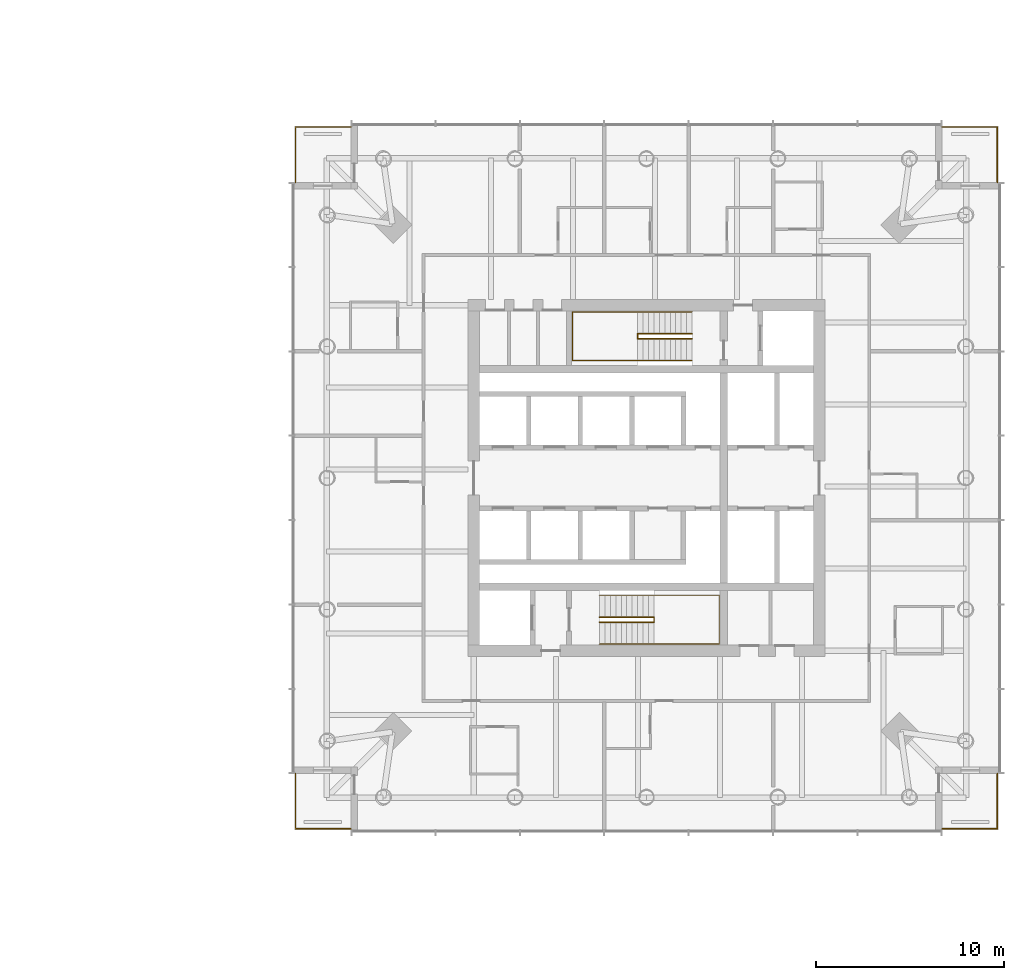
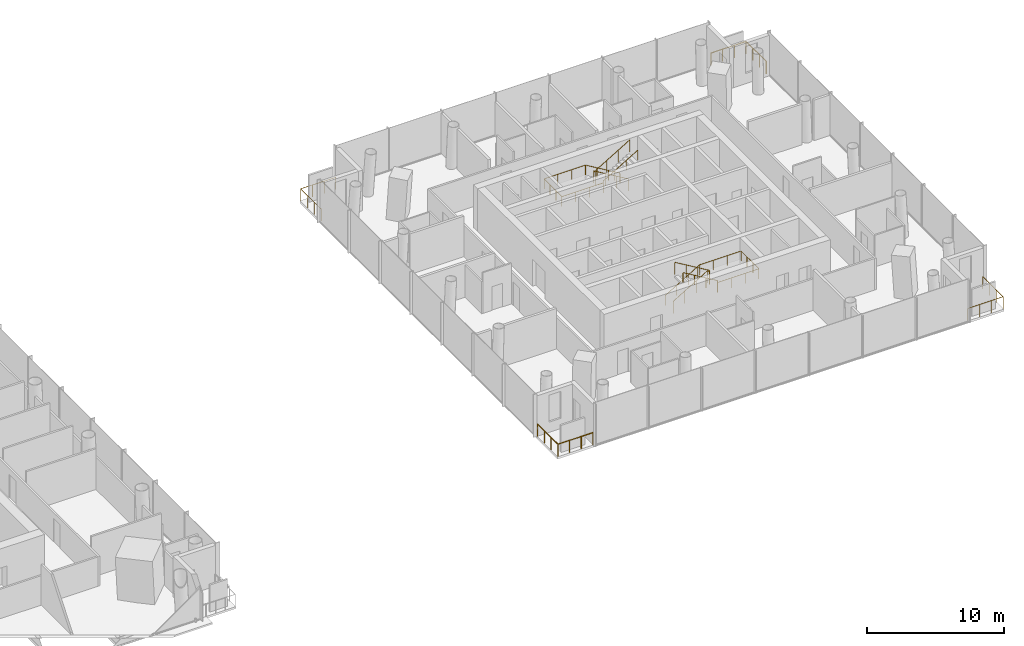
# One storey, part 26 of 26: 8 railings.
"""IFC4 building model written with IfcOpenShell, lengths in metres."""

from ifc_helpers import new_model, si_unit, direction, frame, origin, origin_2d, place, context, subcontext, project, spatial, circle, extrude, material, type_object, element, save


model = new_model("IFC4")

# Units and contexts
model_context = context("Model", 3, precision=1e-05, world=origin(), true_north=direction((0.0, 1.0)))
body_context = subcontext(model_context, "Body", "Model", "MODEL_VIEW")
ifc_project = project(units=[si_unit("LENGTHUNIT", "METRE"), si_unit("AREAUNIT", "SQUARE_METRE"), si_unit("VOLUMEUNIT", "CUBIC_METRE"), si_unit("PLANEANGLEUNIT", "RADIAN"), si_unit("MASSUNIT", "GRAM", prefix="KILO")], contexts=[model_context])

# Site, building, storey
site_placement = place(None, origin())
site = spatial("IfcSite", under=ifc_project, at=site_placement, CompositionType="ELEMENT")
building_placement = place(site_placement, origin())
building = spatial("IfcBuilding", under=site, at=building_placement, Name="Ostroluk Exchange", CompositionType="ELEMENT")
storey_placement = place(building_placement, frame((0.0, 0.0, 66.60009765625)))
storey = spatial("IfcBuildingStorey", under=building, at=storey_placement, Name="L16", CompositionType="ELEMENT", Elevation=66.60009765625)

# Railings
ifc_material_1 = material(Name="Stainless steel", Category="steel")
railing_type_1 = type_object("IfcRailingType", Name="Guard 1100 stainless steel", PredefinedType="GUARDRAIL", material=ifc_material_1)
railing_1_placement = place(storey_placement, frame((132.75, 27.300048828125, 0.0)))
element("IfcRailing", 1, at=railing_1_placement, inside=storey, type_object=railing_type_1, Name="Hotel tower SE balcony guard L16", PredefinedType="GUARDRAIL", context=body_context, shape_type="SweptSolid", body=[
    extrude(circle(Radius=0.02392578125, at=origin_2d()), frame((0.0, 0.0, 1.076171875), z_axis=(1.0, 0.0, 0.0), x_axis=(0.0, 1.0, 0.0)), (0.0, 0.0, 1.0), 2.949951171875),
    extrude(circle(Radius=0.02392578125, at=origin_2d()), frame((2.949951171875, 0.0, 1.076171875), z_axis=(0.0, 1.0, 0.0), x_axis=(-1.0, 0.0, 0.0)), (0.0, 0.0, 1.0), 2.949951171875),
    extrude(circle(Radius=0.02099609375, at=origin_2d()), origin(), (0.0, 0.0, 1.0), 1.052001953125),
    extrude(circle(Radius=0.02099609375, at=origin_2d()), frame((0.9833984375, 0.0, 0.0)), (0.0, 0.0, 1.0), 1.052001953125),
    extrude(circle(Radius=0.02099609375, at=origin_2d()), frame((1.966552734375, 0.0, 0.0)), (0.0, 0.0, 1.0), 1.052001953125),
    extrude(circle(Radius=0.02099609375, at=origin_2d()), frame((2.949951171875, 0.0, 0.0)), (0.0, 0.0, 1.0), 1.052001953125),
    extrude(circle(Radius=0.02099609375, at=origin_2d()), frame((2.949951171875, 0.9833984375, 0.0)), (0.0, 0.0, 1.0), 1.052001953125),
    extrude(circle(Radius=0.02099609375, at=origin_2d()), frame((2.949951171875, 1.966552734375, 0.0)), (0.0, 0.0, 1.0), 1.052001953125),
    extrude(circle(Radius=0.02099609375, at=origin_2d()), frame((2.949951171875, 2.949951171875, 0.0)), (0.0, 0.0, 1.0), 1.052001953125),
])
railing_2_placement = place(storey_placement, frame((132.75, 64.699951171875, 0.0)))
element("IfcRailing", 2, at=railing_2_placement, inside=storey, type_object=railing_type_1, Name="Hotel tower NE balcony guard L16", PredefinedType="GUARDRAIL", context=body_context, shape_type="SweptSolid", body=[
    extrude(circle(Radius=0.02392578125, at=origin_2d()), frame((0.0, 0.0, 1.076171875), z_axis=(1.0, 0.0, 0.0), x_axis=(0.0, 1.0, 0.0)), (0.0, 0.0, 1.0), 2.949951171875),
    extrude(circle(Radius=0.02392578125, at=origin_2d()), frame((2.949951171875, 0.0, 1.076171875), z_axis=(0.0, -1.0, 0.0), x_axis=(1.0, 0.0, 0.0)), (0.0, 0.0, 1.0), 2.949951171875),
    extrude(circle(Radius=0.02099609375, at=origin_2d()), origin(), (0.0, 0.0, 1.0), 1.052001953125),
    extrude(circle(Radius=0.02099609375, at=origin_2d()), frame((0.9833984375, 0.0, 0.0)), (0.0, 0.0, 1.0), 1.052001953125),
    extrude(circle(Radius=0.02099609375, at=origin_2d()), frame((1.966552734375, 0.0, 0.0)), (0.0, 0.0, 1.0), 1.052001953125),
    extrude(circle(Radius=0.02099609375, at=origin_2d()), frame((2.949951171875, 0.0, 0.0)), (0.0, 0.0, 1.0), 1.052001953125),
    extrude(circle(Radius=0.02099609375, at=origin_2d()), frame((2.949951171875, -0.9833984375, 0.0)), (0.0, 0.0, 1.0), 1.052001953125),
    extrude(circle(Radius=0.02099609375, at=origin_2d()), frame((2.949951171875, -1.966552734375, 0.0)), (0.0, 0.0, 1.0), 1.052001953125),
    extrude(circle(Radius=0.02099609375, at=origin_2d()), frame((2.949951171875, -2.949951171875, 0.0)), (0.0, 0.0, 1.0), 1.052001953125),
])
railing_3_placement = place(storey_placement, frame((101.25, 64.699951171875, 0.0)))
element("IfcRailing", 3, at=railing_3_placement, inside=storey, type_object=railing_type_1, Name="Hotel tower NW balcony guard L16", PredefinedType="GUARDRAIL", context=body_context, shape_type="SweptSolid", body=[
    extrude(circle(Radius=0.02392578125, at=origin_2d()), frame((0.0, 0.0, 1.076171875), z_axis=(-1.0, 0.0, 0.0), x_axis=(0.0, -1.0, 0.0)), (0.0, 0.0, 1.0), 2.949951171875),
    extrude(circle(Radius=0.02392578125, at=origin_2d()), frame((-2.949951171875, 0.0, 1.076171875), z_axis=(0.0, -1.0, 0.0), x_axis=(1.0, 0.0, 0.0)), (0.0, 0.0, 1.0), 2.949951171875),
    extrude(circle(Radius=0.02099609375, at=origin_2d()), origin(), (0.0, 0.0, 1.0), 1.052001953125),
    extrude(circle(Radius=0.02099609375, at=origin_2d()), frame((-0.9833984375, 0.0, 0.0)), (0.0, 0.0, 1.0), 1.052001953125),
    extrude(circle(Radius=0.02099609375, at=origin_2d()), frame((-1.966552734375, 0.0, 0.0)), (0.0, 0.0, 1.0), 1.052001953125),
    extrude(circle(Radius=0.02099609375, at=origin_2d()), frame((-2.949951171875, 0.0, 0.0)), (0.0, 0.0, 1.0), 1.052001953125),
    extrude(circle(Radius=0.02099609375, at=origin_2d()), frame((-2.949951171875, -0.9833984375, 0.0)), (0.0, 0.0, 1.0), 1.052001953125),
    extrude(circle(Radius=0.02099609375, at=origin_2d()), frame((-2.949951171875, -1.966552734375, 0.0)), (0.0, 0.0, 1.0), 1.052001953125),
    extrude(circle(Radius=0.02099609375, at=origin_2d()), frame((-2.949951171875, -2.949951171875, 0.0)), (0.0, 0.0, 1.0), 1.052001953125),
])
railing_4_placement = place(storey_placement, frame((101.25, 27.300048828125, 0.0)))
element("IfcRailing", 4, at=railing_4_placement, inside=storey, type_object=railing_type_1, Name="Hotel tower SW balcony guard L16", PredefinedType="GUARDRAIL", context=body_context, shape_type="SweptSolid", body=[
    extrude(circle(Radius=0.02392578125, at=origin_2d()), frame((0.0, 0.0, 1.076171875), z_axis=(-1.0, 0.0, 0.0), x_axis=(0.0, -1.0, 0.0)), (0.0, 0.0, 1.0), 2.949951171875),
    extrude(circle(Radius=0.02392578125, at=origin_2d()), frame((-2.949951171875, 0.0, 1.076171875), z_axis=(0.0, 1.0, 0.0), x_axis=(-1.0, 0.0, 0.0)), (0.0, 0.0, 1.0), 2.949951171875),
    extrude(circle(Radius=0.02099609375, at=origin_2d()), origin(), (0.0, 0.0, 1.0), 1.052001953125),
    extrude(circle(Radius=0.02099609375, at=origin_2d()), frame((-0.9833984375, 0.0, 0.0)), (0.0, 0.0, 1.0), 1.052001953125),
    extrude(circle(Radius=0.02099609375, at=origin_2d()), frame((-1.966552734375, 0.0, 0.0)), (0.0, 0.0, 1.0), 1.052001953125),
    extrude(circle(Radius=0.02099609375, at=origin_2d()), frame((-2.949951171875, 0.0, 0.0)), (0.0, 0.0, 1.0), 1.052001953125),
    extrude(circle(Radius=0.02099609375, at=origin_2d()), frame((-2.949951171875, 0.9833984375, 0.0)), (0.0, 0.0, 1.0), 1.052001953125),
    extrude(circle(Radius=0.02099609375, at=origin_2d()), frame((-2.949951171875, 1.966552734375, 0.0)), (0.0, 0.0, 1.0), 1.052001953125),
    extrude(circle(Radius=0.02099609375, at=origin_2d()), frame((-2.949951171875, 2.949951171875, 0.0)), (0.0, 0.0, 1.0), 1.052001953125),
])
ifc_material_2 = material(Name="Steel S355", Category="steel")
railing_type_2 = type_object("IfcRailingType", Name="Stair guard 1100", PredefinedType="GUARDRAIL", material=ifc_material_2)
railing_5_placement = place(storey_placement, frame((114.5, 38.580078125, 0.172607421875)))
element("IfcRailing", 5, at=railing_5_placement, inside=storey, type_object=railing_type_2, Name="Stair T2-S1 guard L16", PredefinedType="GUARDRAIL", context=body_context, shape_type="SweptSolid", body=[
    extrude(circle(Radius=0.02392578125, at=origin_2d()), frame((0.0, 0.0, 1.076171875), z_axis=(0.859141464434, 0.0, 0.511738159696), x_axis=(0.0, 1.0, 0.0)), (0.0, 0.0, 1.0), 3.375244140625),
    extrude(circle(Radius=0.02392578125, at=origin_2d()), frame((2.89990234375, 0.0, 2.80322265625), z_axis=(0.0, -1.0, 0.0), x_axis=(1.0, 0.0, 0.0)), (0.0, 0.0, 1.0), 0.260009765625),
    extrude(circle(Radius=0.02392578125, at=origin_2d()), frame((2.89990234375, -0.260009765625, 2.80322265625), z_axis=(0.0, 0.0, 1.0), x_axis=(1.0, 0.0, 0.0)), (0.0, 0.0, 1.0), 0.172607421875),
    extrude(circle(Radius=0.02392578125, at=origin_2d()), frame((2.89990234375, -0.260009765625, 2.97607421875), z_axis=(-0.859141464434, 0.0, 0.511738159696), x_axis=(0.0, -1.0, 0.0)), (0.0, 0.0, 1.0), 3.375244140625),
    extrude(circle(Radius=0.02099609375, at=origin_2d()), origin(), (0.0, 0.0, 1.0), 1.052001953125),
    extrude(circle(Radius=0.02099609375, at=origin_2d()), frame((0.966552734375, 0.0, 0.57568359375)), (0.0, 0.0, 1.0), 1.052001953125),
    extrude(circle(Radius=0.02099609375, at=origin_2d()), frame((1.933349609375, 0.0, 1.151611328125)), (0.0, 0.0, 1.0), 1.052001953125),
    extrude(circle(Radius=0.02099609375, at=origin_2d()), frame((2.89990234375, 0.0, 1.727294921875)), (0.0, 0.0, 1.0), 1.052001953125),
    extrude(circle(Radius=0.02099609375, at=origin_2d()), frame((2.89990234375, -0.260009765625, 1.727294921875)), (0.0, 0.0, 1.0), 1.052001953125),
    extrude(circle(Radius=0.02099609375, at=origin_2d()), frame((2.89990234375, -0.260009765625, 1.89990234375)), (0.0, 0.0, 1.0), 1.052001953125),
    extrude(circle(Radius=0.02099609375, at=origin_2d()), frame((1.933349609375, -0.260009765625, 2.4755859375)), (0.0, 0.0, 1.0), 1.052001953125),
    extrude(circle(Radius=0.02099609375, at=origin_2d()), frame((0.966552734375, -0.260009765625, 3.051513671875)), (0.0, 0.0, 1.0), 1.052001953125),
    extrude(circle(Radius=0.02099609375, at=origin_2d()), frame((0.0, -0.260009765625, 3.627197265625)), (0.0, 0.0, 1.0), 1.052001953125),
])
railing_6_placement = place(storey_placement, frame((119.429931640625, 53.679931640625, 0.172607421875)))
element("IfcRailing", 6, at=railing_6_placement, inside=storey, type_object=railing_type_2, Name="Stair T2-S2 guard L16", PredefinedType="GUARDRAIL", context=body_context, shape_type="SweptSolid", body=[
    extrude(circle(Radius=0.02392578125, at=origin_2d()), frame((0.0, 0.0, 1.076171875), z_axis=(-0.859141464434, 0.0, 0.511738159696), x_axis=(0.0, -1.0, 0.0)), (0.0, 0.0, 1.0), 3.375244140625),
    extrude(circle(Radius=0.02392578125, at=origin_2d()), frame((-2.89990234375, 0.0, 2.80322265625), z_axis=(0.0, -1.0, 0.0), x_axis=(1.0, 0.0, 0.0)), (0.0, 0.0, 1.0), 0.260009765625),
    extrude(circle(Radius=0.02392578125, at=origin_2d()), frame((-2.89990234375, -0.260009765625, 2.80322265625), z_axis=(0.0, 0.0, 1.0), x_axis=(1.0, 0.0, 0.0)), (0.0, 0.0, 1.0), 0.172607421875),
    extrude(circle(Radius=0.02392578125, at=origin_2d()), frame((-2.89990234375, -0.260009765625, 2.97607421875), z_axis=(0.859141464434, 0.0, 0.511738159696), x_axis=(0.0, 1.0, 0.0)), (0.0, 0.0, 1.0), 3.375244140625),
    extrude(circle(Radius=0.02099609375, at=origin_2d()), origin(), (0.0, 0.0, 1.0), 1.052001953125),
    extrude(circle(Radius=0.02099609375, at=origin_2d()), frame((-0.966552734375, 0.0, 0.57568359375)), (0.0, 0.0, 1.0), 1.052001953125),
    extrude(circle(Radius=0.02099609375, at=origin_2d()), frame((-1.933349609375, 0.0, 1.151611328125)), (0.0, 0.0, 1.0), 1.052001953125),
    extrude(circle(Radius=0.02099609375, at=origin_2d()), frame((-2.89990234375, 0.0, 1.727294921875)), (0.0, 0.0, 1.0), 1.052001953125),
    extrude(circle(Radius=0.02099609375, at=origin_2d()), frame((-2.89990234375, -0.260009765625, 1.727294921875)), (0.0, 0.0, 1.0), 1.052001953125),
    extrude(circle(Radius=0.02099609375, at=origin_2d()), frame((-2.89990234375, -0.260009765625, 1.89990234375)), (0.0, 0.0, 1.0), 1.052001953125),
    extrude(circle(Radius=0.02099609375, at=origin_2d()), frame((-1.933349609375, -0.260009765625, 2.4755859375)), (0.0, 0.0, 1.0), 1.052001953125),
    extrude(circle(Radius=0.02099609375, at=origin_2d()), frame((-0.966552734375, -0.260009765625, 3.051513671875)), (0.0, 0.0, 1.0), 1.052001953125),
    extrude(circle(Radius=0.02099609375, at=origin_2d()), frame((0.0, -0.260009765625, 3.627197265625)), (0.0, 0.0, 1.0), 1.052001953125),
])
ifc_material_3 = material(Name="Stainless steel", Category="steel")
railing_type_3 = type_object("IfcRailingType", Name="Stair handrail 900", PredefinedType="HANDRAIL", material=ifc_material_3)
railing_7_placement = place(storey_placement, frame((114.5, 39.75, 0.172607421875)))
element("IfcRailing", 7, at=railing_7_placement, inside=storey, type_object=railing_type_3, Name="Stair T2-S1 handrail L16", PredefinedType="HANDRAIL", context=body_context, shape_type="SweptSolid", body=[
    extrude(circle(Radius=0.02392578125, at=origin_2d()), frame((0.0, 0.0, 0.8759765625), z_axis=(0.859141464434, 0.0, 0.511738159696), x_axis=(0.0, 1.0, 0.0)), (0.0, 0.0, 1.0), 3.375244140625),
    extrude(circle(Radius=0.02392578125, at=origin_2d()), frame((2.89990234375, 0.0, 2.60302734375), z_axis=(1.0, 0.0, 0.0), x_axis=(0.0, 1.0, 0.0)), (0.0, 0.0, 1.0), 3.47998046875),
    extrude(circle(Radius=0.02392578125, at=origin_2d()), frame((6.3798828125, 0.0, 2.60302734375), z_axis=(0.0, -1.0, 0.0), x_axis=(1.0, 0.0, 0.0)), (0.0, 0.0, 1.0), 2.60009765625),
    extrude(circle(Radius=0.02392578125, at=origin_2d()), frame((6.3798828125, -2.60009765625, 2.60302734375), z_axis=(-1.0, 0.0, 0.0), x_axis=(0.0, -1.0, 0.0)), (0.0, 0.0, 1.0), 3.47998046875),
    extrude(circle(Radius=0.02392578125, at=origin_2d()), frame((2.89990234375, -2.60009765625, 2.60302734375), z_axis=(0.0, 0.0, 1.0), x_axis=(1.0, 0.0, 0.0)), (0.0, 0.0, 1.0), 0.172607421875),
    extrude(circle(Radius=0.02392578125, at=origin_2d()), frame((2.89990234375, -2.60009765625, 2.77587890625), z_axis=(-0.859141464434, 0.0, 0.511738159696), x_axis=(0.0, -1.0, 0.0)), (0.0, 0.0, 1.0), 3.375244140625),
    extrude(circle(Radius=0.02099609375, at=origin_2d()), origin(), (0.0, 0.0, 1.0), 0.851806640625),
    extrude(circle(Radius=0.02099609375, at=origin_2d()), frame((0.966552734375, 0.0, 0.57568359375)), (0.0, 0.0, 1.0), 0.851806640625),
    extrude(circle(Radius=0.02099609375, at=origin_2d()), frame((1.933349609375, 0.0, 1.151611328125)), (0.0, 0.0, 1.0), 0.851806640625),
    extrude(circle(Radius=0.02099609375, at=origin_2d()), frame((2.89990234375, 0.0, 1.727294921875)), (0.0, 0.0, 1.0), 0.851806640625),
    extrude(circle(Radius=0.02099609375, at=origin_2d()), frame((4.059814453125, 0.0, 1.727294921875)), (0.0, 0.0, 1.0), 0.851806640625),
    extrude(circle(Radius=0.02099609375, at=origin_2d()), frame((5.219970703125, 0.0, 1.727294921875)), (0.0, 0.0, 1.0), 0.851806640625),
    extrude(circle(Radius=0.02099609375, at=origin_2d()), frame((6.3798828125, 0.0, 1.727294921875)), (0.0, 0.0, 1.0), 0.851806640625),
    extrude(circle(Radius=0.02099609375, at=origin_2d()), frame((6.3798828125, -0.86669921875, 1.727294921875)), (0.0, 0.0, 1.0), 0.851806640625),
    extrude(circle(Radius=0.02099609375, at=origin_2d()), frame((6.3798828125, -1.7333984375, 1.727294921875)), (0.0, 0.0, 1.0), 0.851806640625),
    extrude(circle(Radius=0.02099609375, at=origin_2d()), frame((6.3798828125, -2.60009765625, 1.727294921875)), (0.0, 0.0, 1.0), 0.851806640625),
    extrude(circle(Radius=0.02099609375, at=origin_2d()), frame((5.219970703125, -2.60009765625, 1.727294921875)), (0.0, 0.0, 1.0), 0.851806640625),
    extrude(circle(Radius=0.02099609375, at=origin_2d()), frame((4.059814453125, -2.60009765625, 1.727294921875)), (0.0, 0.0, 1.0), 0.851806640625),
    extrude(circle(Radius=0.02099609375, at=origin_2d()), frame((2.89990234375, -2.60009765625, 1.727294921875)), (0.0, 0.0, 1.0), 0.851806640625),
    extrude(circle(Radius=0.02099609375, at=origin_2d()), frame((2.89990234375, -2.60009765625, 1.89990234375)), (0.0, 0.0, 1.0), 0.851806640625),
    extrude(circle(Radius=0.02099609375, at=origin_2d()), frame((1.933349609375, -2.60009765625, 2.4755859375)), (0.0, 0.0, 1.0), 0.851806640625),
    extrude(circle(Radius=0.02099609375, at=origin_2d()), frame((0.966552734375, -2.60009765625, 3.051513671875)), (0.0, 0.0, 1.0), 0.851806640625),
    extrude(circle(Radius=0.02099609375, at=origin_2d()), frame((0.0, -2.60009765625, 3.627197265625)), (0.0, 0.0, 1.0), 0.851806640625),
])
railing_8_placement = place(storey_placement, frame((119.429931640625, 54.85009765625, 0.172607421875)))
element("IfcRailing", 8, at=railing_8_placement, inside=storey, type_object=railing_type_3, Name="Stair T2-S2 handrail L16", PredefinedType="HANDRAIL", context=body_context, shape_type="SweptSolid", body=[
    extrude(circle(Radius=0.02392578125, at=origin_2d()), frame((0.0, 0.0, 0.8759765625), z_axis=(-0.859141464434, 0.0, 0.511738159696), x_axis=(0.0, -1.0, 0.0)), (0.0, 0.0, 1.0), 3.375244140625),
    extrude(circle(Radius=0.02392578125, at=origin_2d()), frame((-2.89990234375, 0.0, 2.60302734375), z_axis=(-1.0, 0.0, 0.0), x_axis=(0.0, -1.0, 0.0)), (0.0, 0.0, 1.0), 3.47998046875),
    extrude(circle(Radius=0.02392578125, at=origin_2d()), frame((-6.3798828125, 0.0, 2.60302734375), z_axis=(0.0, -1.0, 0.0), x_axis=(1.0, 0.0, 0.0)), (0.0, 0.0, 1.0), 2.60009765625),
    extrude(circle(Radius=0.02392578125, at=origin_2d()), frame((-6.3798828125, -2.60009765625, 2.60302734375), z_axis=(1.0, 0.0, 0.0), x_axis=(0.0, 1.0, 0.0)), (0.0, 0.0, 1.0), 3.47998046875),
    extrude(circle(Radius=0.02392578125, at=origin_2d()), frame((-2.89990234375, -2.60009765625, 2.60302734375), z_axis=(0.0, 0.0, 1.0), x_axis=(1.0, 0.0, 0.0)), (0.0, 0.0, 1.0), 0.172607421875),
    extrude(circle(Radius=0.02392578125, at=origin_2d()), frame((-2.89990234375, -2.60009765625, 2.77587890625), z_axis=(0.859141464434, 0.0, 0.511738159696), x_axis=(0.0, 1.0, 0.0)), (0.0, 0.0, 1.0), 3.375244140625),
    extrude(circle(Radius=0.02099609375, at=origin_2d()), origin(), (0.0, 0.0, 1.0), 0.851806640625),
    extrude(circle(Radius=0.02099609375, at=origin_2d()), frame((-0.966552734375, 0.0, 0.57568359375)), (0.0, 0.0, 1.0), 0.851806640625),
    extrude(circle(Radius=0.02099609375, at=origin_2d()), frame((-1.933349609375, 0.0, 1.151611328125)), (0.0, 0.0, 1.0), 0.851806640625),
    extrude(circle(Radius=0.02099609375, at=origin_2d()), frame((-2.89990234375, 0.0, 1.727294921875)), (0.0, 0.0, 1.0), 0.851806640625),
    extrude(circle(Radius=0.02099609375, at=origin_2d()), frame((-4.059814453125, 0.0, 1.727294921875)), (0.0, 0.0, 1.0), 0.851806640625),
    extrude(circle(Radius=0.02099609375, at=origin_2d()), frame((-5.219970703125, 0.0, 1.727294921875)), (0.0, 0.0, 1.0), 0.851806640625),
    extrude(circle(Radius=0.02099609375, at=origin_2d()), frame((-6.3798828125, 0.0, 1.727294921875)), (0.0, 0.0, 1.0), 0.851806640625),
    extrude(circle(Radius=0.02099609375, at=origin_2d()), frame((-6.3798828125, -0.86669921875, 1.727294921875)), (0.0, 0.0, 1.0), 0.851806640625),
    extrude(circle(Radius=0.02099609375, at=origin_2d()), frame((-6.3798828125, -1.7333984375, 1.727294921875)), (0.0, 0.0, 1.0), 0.851806640625),
    extrude(circle(Radius=0.02099609375, at=origin_2d()), frame((-6.3798828125, -2.60009765625, 1.727294921875)), (0.0, 0.0, 1.0), 0.851806640625),
    extrude(circle(Radius=0.02099609375, at=origin_2d()), frame((-5.219970703125, -2.60009765625, 1.727294921875)), (0.0, 0.0, 1.0), 0.851806640625),
    extrude(circle(Radius=0.02099609375, at=origin_2d()), frame((-4.059814453125, -2.60009765625, 1.727294921875)), (0.0, 0.0, 1.0), 0.851806640625),
    extrude(circle(Radius=0.02099609375, at=origin_2d()), frame((-2.89990234375, -2.60009765625, 1.727294921875)), (0.0, 0.0, 1.0), 0.851806640625),
    extrude(circle(Radius=0.02099609375, at=origin_2d()), frame((-2.89990234375, -2.60009765625, 1.89990234375)), (0.0, 0.0, 1.0), 0.851806640625),
    extrude(circle(Radius=0.02099609375, at=origin_2d()), frame((-1.933349609375, -2.60009765625, 2.4755859375)), (0.0, 0.0, 1.0), 0.851806640625),
    extrude(circle(Radius=0.02099609375, at=origin_2d()), frame((-0.966552734375, -2.60009765625, 3.051513671875)), (0.0, 0.0, 1.0), 0.851806640625),
    extrude(circle(Radius=0.02099609375, at=origin_2d()), frame((0.0, -2.60009765625, 3.627197265625)), (0.0, 0.0, 1.0), 0.851806640625),
])

save(model, "model.ifc")
